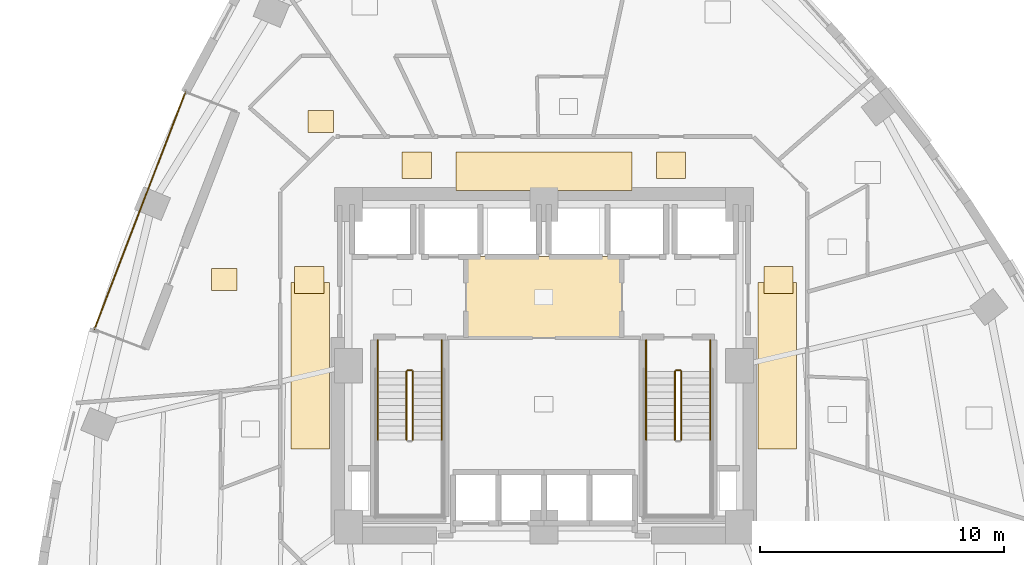
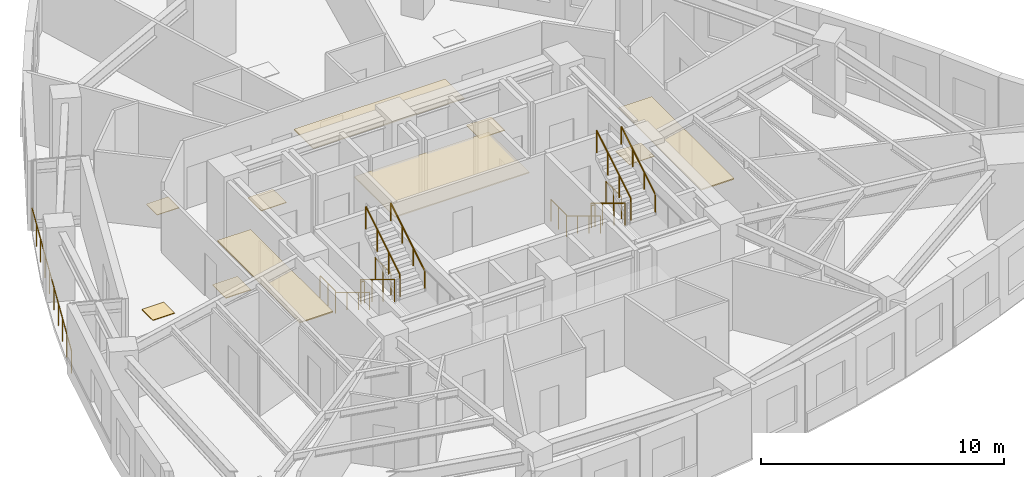
# One storey, part 11 of 12: 15 railings, 10 coverings.
"""IFC4 building model written with IfcOpenShell, lengths in metres."""

from ifc_helpers import new_model, si_unit, direction, frame, origin, origin_2d, place, context, subcontext, project, spatial, rectangle, circle, extrude, material, layer, layer_set, type_object, element, save


model = new_model("IFC4")

# Units and contexts
model_context = context("Model", 3, precision=1e-05, world=origin(), true_north=direction((0.0, 1.0)))
body_context = subcontext(model_context, "Body", "Model", "MODEL_VIEW")
ifc_project = project(units=[si_unit("LENGTHUNIT", "METRE"), si_unit("AREAUNIT", "SQUARE_METRE"), si_unit("VOLUMEUNIT", "CUBIC_METRE"), si_unit("PLANEANGLEUNIT", "RADIAN"), si_unit("MASSUNIT", "GRAM", prefix="KILO")], contexts=[model_context])

# Site, building, storey
site_placement = place(None, origin())
site = spatial("IfcSite", under=ifc_project, at=site_placement, CompositionType="ELEMENT")
building_placement = place(site_placement, origin())
building = spatial("IfcBuilding", under=site, at=building_placement, Name="Ndelora Gate Hotel", CompositionType="ELEMENT")
storey_placement = place(building_placement, frame((0.0, 0.0, 64.25)))
storey = spatial("IfcBuildingStorey", under=building, at=storey_placement, Name="L15", CompositionType="ELEMENT", Elevation=64.25)

# Coverings
ifc_material_1 = material(Name="Perforated Acoustic Gypsum Board", Category="gypsum")
ifc_layer_1 = layer(ifc_material_1, 0.054931640625)
ifc_layer_set_1 = layer_set([ifc_layer_1], Name="Perforated Acoustic Gypsum Board")
covering_type_1 = type_object("IfcCoveringType", Name="COV-CEIL-AC60", PredefinedType="CEILING", material=ifc_layer_set_1)
covering_1_placement = place(storey_placement, frame((0.0, 2.800048828125, 2.72265625), z_axis=(0.0, 0.0, 1.0), x_axis=(1.0, 0.0, 0.0)))
element("IfcCovering", 1, at=covering_1_placement, inside=storey, type_object=covering_type_1, Name="L15 Lift Lobby Acoustic Ceiling", PredefinedType="CEILING", context=body_context, shape_type="SweptSolid", body=[
    extrude(rectangle(XDim=6.39990234375, YDim=3.340087890625, at=origin_2d()), origin(), (0.0, 0.0, 1.0), 0.054931640625),
])
covering_2_placement = place(storey_placement, frame((0.0, 7.9599609375, 2.65234375), z_axis=(0.0, 0.0, 1.0), x_axis=(1.0, 0.0, 0.0)))
element("IfcCovering", 2, at=covering_2_placement, inside=storey, type_object=covering_type_1, Name="L15 Guest Corridor Acoustic Ceiling N", PredefinedType="CEILING", context=body_context, shape_type="SweptSolid", body=[
    extrude(rectangle(XDim=7.199951171875, YDim=1.580078125, at=origin_2d()), origin(), (0.0, 0.0, 1.0), 0.054931640625),
])
for number, where, z_axis, x_axis, name in (
    (3, (-9.550048828125, 0.0, 2.65234375), (0.0, 0.0, 1.0), (1.0, 0.0, 0.0), "L15 Guest Corridor Acoustic Ceiling W"),
    (4, (9.550048828125, 0.0, 2.65234375), (0.0, 0.0, 1.0), (1.0, 0.0, 0.0), "L15 Guest Corridor Acoustic Ceiling E"),
):
    element("IfcCovering", number, at=place(storey_placement, frame(where, z_axis=z_axis, x_axis=x_axis)), inside=storey, type_object=covering_type_1, Name=name, PredefinedType="CEILING", context=body_context, shape_type="SweptSolid", body=[
        extrude(rectangle(XDim=1.580078125, YDim=6.800048828125, at=origin_2d()), origin(), (0.0, 0.0, 1.0), 0.054931640625),
    ])
ifc_material_2 = material(Name="Engineered Highland Oak Parquet", Category="wood")
ifc_layer_2 = layer(ifc_material_2, 0.030029296875)
ifc_layer_set_2 = layer_set([ifc_layer_2], Name="Engineered Highland Oak Parquet")
covering_type_2 = type_object("IfcCoveringType", Name="COV-FLR-PARQ", PredefinedType="FLOORING", material=ifc_layer_set_2)
for number, where, z_axis, x_axis, name in (
    (5, (-13.076904296875, 3.5244140625, 0.0), (0.0, 0.0, 1.0), (1.0, 0.0, 0.0), "L15 Sky Garden Tea Dining Room Oak Parquet Flooring"),
    (6, (-9.129638671875, 9.989990234375, 0.0), (0.0, 0.0, 1.0), (1.0, 0.0, 0.0), "L15 Accessible WC Oak Parquet Flooring"),
):
    element("IfcCovering", number, at=place(storey_placement, frame(where, z_axis=z_axis, x_axis=x_axis)), inside=storey, type_object=covering_type_2, Name=name, PredefinedType="FLOORING", context=body_context, shape_type="SweptSolid", body=[
        extrude(rectangle(XDim=1.050048828125, YDim=0.89990234375, at=origin_2d()), origin(), (0.0, 0.0, 1.0), 0.030029296875),
    ])
ifc_material_3 = material(Name="Polished Highland Stone Terrazzo", Category="masonry")
ifc_layer_3 = layer(ifc_material_3, 0.034912109375)
ifc_layer_set_3 = layer_set([ifc_layer_3], Name="Polished Highland Stone Terrazzo")
covering_type_3 = type_object("IfcCoveringType", Name="COV-FLR-TERZ", PredefinedType="FLOORING", material=ifc_layer_set_3)
for number, where, z_axis, x_axis, name in (
    (7, (-5.199951171875, 8.199951171875, 0.0), (0.0, 0.0, 1.0), (1.0, 0.0, 0.0), "L15 Corridor Threshold Terrazzo Inlay NW"),
    (8, (5.199951171875, 8.199951171875, 0.0), (0.0, 0.0, 1.0), (1.0, 0.0, 0.0), "L15 Corridor Threshold Terrazzo Inlay NE"),
    (9, (-9.60009765625, 3.5, 0.0), (0.0, 0.0, 1.0), (1.0, 0.0, 0.0), "L15 Corridor Threshold Terrazzo Inlay W"),
    (10, (9.60009765625, 3.5, 0.0), (0.0, 0.0, 1.0), (1.0, 0.0, 0.0), "L15 Corridor Threshold Terrazzo Inlay E"),
):
    element("IfcCovering", number, at=place(storey_placement, frame(where, z_axis=z_axis, x_axis=x_axis)), inside=storey, type_object=covering_type_3, Name=name, PredefinedType="FLOORING", context=body_context, shape_type="SweptSolid", body=[
        extrude(rectangle(XDim=1.199951171875, YDim=1.10009765625, at=origin_2d()), origin(), (0.0, 0.0, 1.0), 0.034912109375),
    ])

# Railings
ifc_material_4 = material(Name="Laminated Safety Glass and Bronze Top Rail", Category="glass")
ifc_layer_4 = layer(ifc_material_4, 0.070068359375)
ifc_layer_set_4 = layer_set([ifc_layer_4], Name="Laminated Safety Glass and Bronze Top Rail")
railing_type_1 = type_object("IfcRailingType", Name="RL-BAL-1150", PredefinedType="BALUSTRADE", material=ifc_layer_set_4)
railing_1_placement = place(storey_placement, frame((-14.66259765625, 11.198486328125, 0.0)))
element("IfcRailing", 11, at=railing_1_placement, inside=storey, type_object=railing_type_1, Name="L15 Sky-Garden Loggia Terrace Balustrade", PredefinedType="BALUSTRADE", context=body_context, shape_type="SweptSolid", body=[
    extrude(circle(Radius=0.02392578125, at=origin_2d()), frame((0.0, 0.0, 1.1357421875), z_axis=(-0.35834191059, -0.933590421499, 0.0), x_axis=(0.933590421499, -0.35834191059, 0.0)), (0.0, 0.0, 1.0), 10.400146484375),
    extrude(circle(Radius=0.02099609375, at=origin_2d()), origin(), (0.0, 0.0, 1.0), 1.11181640625),
    extrude(circle(Radius=0.02099609375, at=origin_2d()), frame((-0.4140625, -1.078857421875, 0.0)), (0.0, 0.0, 1.0), 1.11181640625),
    extrude(circle(Radius=0.02099609375, at=origin_2d()), frame((-0.828125, -2.15771484375, 0.0)), (0.0, 0.0, 1.0), 1.11181640625),
    extrude(circle(Radius=0.02099609375, at=origin_2d()), frame((-1.2421875, -3.236572265625, 0.0)), (0.0, 0.0, 1.0), 1.11181640625),
    extrude(circle(Radius=0.02099609375, at=origin_2d()), frame((-1.65625, -4.3154296875, 0.0)), (0.0, 0.0, 1.0), 1.11181640625),
    extrude(circle(Radius=0.02099609375, at=origin_2d()), frame((-2.070556640625, -5.39404296875, 0.0)), (0.0, 0.0, 1.0), 1.11181640625),
    extrude(circle(Radius=0.02099609375, at=origin_2d()), frame((-2.484619140625, -6.472900390625, 0.0)), (0.0, 0.0, 1.0), 1.11181640625),
    extrude(circle(Radius=0.02099609375, at=origin_2d()), frame((-2.898681640625, -7.5517578125, 0.0)), (0.0, 0.0, 1.0), 1.11181640625),
    extrude(circle(Radius=0.02099609375, at=origin_2d()), frame((-3.312744140625, -8.630615234375, 0.0)), (0.0, 0.0, 1.0), 1.11181640625),
    extrude(circle(Radius=0.02099609375, at=origin_2d()), frame((-3.726806640625, -9.70947265625, 0.0)), (0.0, 0.0, 1.0), 1.11181640625),
])
ifc_material_5 = material(Name="Painted Galvanized Steel Balustrade", Category="steel")
ifc_layer_5 = layer(ifc_material_5, 0.06005859375)
ifc_layer_set_5 = layer_set([ifc_layer_5], Name="Painted Galvanized Steel Balustrade")
railing_type_2 = type_object("IfcRailingType", Name="RL-STAIR-GD", PredefinedType="GUARDRAIL", material=ifc_layer_set_5)
railing_2_placement = place(storey_placement, frame((-5.6201171875, -0.22998046875, 0.17041015625)))
element("IfcRailing", 12, at=railing_2_placement, inside=storey, type_object=railing_type_2, Name="L15 ST4 stair guard 1", PredefinedType="GUARDRAIL", context=body_context, shape_type="SweptSolid", body=[
    extrude(circle(Radius=0.02392578125, at=origin_2d()), frame((0.0, 0.0, 1.10595703125), z_axis=(0.0, -0.854169791009, 0.51999420009), x_axis=(1.0, 0.0, 0.0)), (0.0, 0.0, 1.0), 3.278076171875),
    extrude(circle(Radius=0.02099609375, at=origin_2d()), origin(), (0.0, 0.0, 1.0), 1.081787109375),
    extrude(circle(Radius=0.02099609375, at=origin_2d()), frame((0.0, -0.933349609375, 0.568115234375)), (0.0, 0.0, 1.0), 1.081787109375),
    extrude(circle(Radius=0.02099609375, at=origin_2d()), frame((0.0, -1.86669921875, 1.136474609375)), (0.0, 0.0, 1.0), 1.081787109375),
    extrude(circle(Radius=0.02099609375, at=origin_2d()), frame((0.0, -2.800048828125, 1.70458984375)), (0.0, 0.0, 1.0), 1.081787109375),
])
railing_3_placement = place(storey_placement, frame((-5.360107421875, -3.030029296875, 2.04541015625)))
element("IfcRailing", 13, at=railing_3_placement, inside=storey, type_object=railing_type_2, Name="L15 ST4 stair guard 6", PredefinedType="GUARDRAIL", context=body_context, shape_type="SweptSolid", body=[
    extrude(circle(Radius=0.02392578125, at=origin_2d()), frame((0.0, 0.0, 1.10595703125), z_axis=(0.0, 0.854169791009, 0.51999420009), x_axis=(-1.0, 0.0, 0.0)), (0.0, 0.0, 1.0), 3.278076171875),
    extrude(circle(Radius=0.02099609375, at=origin_2d()), origin(), (0.0, 0.0, 1.0), 1.081787109375),
    extrude(circle(Radius=0.02099609375, at=origin_2d()), frame((0.0, 0.933349609375, 0.568115234375)), (0.0, 0.0, 1.0), 1.081787109375),
    extrude(circle(Radius=0.02099609375, at=origin_2d()), frame((0.0, 1.86669921875, 1.136474609375)), (0.0, 0.0, 1.0), 1.081787109375),
    extrude(circle(Radius=0.02099609375, at=origin_2d()), frame((0.0, 2.800048828125, 1.70458984375)), (0.0, 0.0, 1.0), 1.081787109375),
])
railing_4_placement = place(storey_placement, frame((-5.570068359375, -0.179931640625, 0.0)))
element("IfcRailing", 14, at=railing_4_placement, inside=storey, type_object=railing_type_2, Name="L15 ST4 stair guard 7", PredefinedType="GUARDRAIL", context=body_context, shape_type="SweptSolid", body=[
    extrude(circle(Radius=0.02392578125, at=origin_2d()), frame((0.0, 0.0, 1.10595703125), z_axis=(1.0, 0.0, 0.0), x_axis=(0.0, 1.0, 0.0)), (0.0, 0.0, 1.0), 0.16015625),
    extrude(circle(Radius=0.02099609375, at=origin_2d()), origin(), (0.0, 0.0, 1.0), 1.081787109375),
    extrude(circle(Radius=0.02099609375, at=origin_2d()), frame((0.16015625, 0.0, 0.0)), (0.0, 0.0, 1.0), 1.081787109375),
])
for number, where, name in (
    (15, (-6.800048828125, 1.050048828125, 0.0), "L15 ST4 stair guard 8"),
    (16, (-4.179931640625, 1.050048828125, 0.0), "L15 ST4 stair guard 9"),
):
    element("IfcRailing", number, at=place(storey_placement, frame(where)), inside=storey, type_object=railing_type_2, Name=name, PredefinedType="GUARDRAIL", context=body_context, shape_type="SweptSolid", body=[
        extrude(circle(Radius=0.02392578125, at=origin_2d()), frame((0.0, 0.0, 1.10595703125), z_axis=(0.0, -1.0, 0.0), x_axis=(1.0, 0.0, 0.0)), (0.0, 0.0, 1.0), 1.280029296875),
        extrude(circle(Radius=0.02099609375, at=origin_2d()), origin(), (0.0, 0.0, 1.0), 1.081787109375),
        extrude(circle(Radius=0.02099609375, at=origin_2d()), frame((0.0, -0.64013671875, 0.0)), (0.0, 0.0, 1.0), 1.081787109375),
        extrude(circle(Radius=0.02099609375, at=origin_2d()), frame((0.0, -1.280029296875, 0.0)), (0.0, 0.0, 1.0), 1.081787109375),
    ])
railing_5_placement = place(storey_placement, frame((5.360107421875, -0.22998046875, 0.17041015625)))
element("IfcRailing", 17, at=railing_5_placement, inside=storey, type_object=railing_type_2, Name="L15 ST5 stair guard 1", PredefinedType="GUARDRAIL", context=body_context, shape_type="SweptSolid", body=[
    extrude(circle(Radius=0.02392578125, at=origin_2d()), frame((0.0, 0.0, 1.10595703125), z_axis=(0.0, -0.854169791009, 0.51999420009), x_axis=(1.0, 0.0, 0.0)), (0.0, 0.0, 1.0), 3.278076171875),
    extrude(circle(Radius=0.02099609375, at=origin_2d()), origin(), (0.0, 0.0, 1.0), 1.081787109375),
    extrude(circle(Radius=0.02099609375, at=origin_2d()), frame((0.0, -0.933349609375, 0.568115234375)), (0.0, 0.0, 1.0), 1.081787109375),
    extrude(circle(Radius=0.02099609375, at=origin_2d()), frame((0.0, -1.86669921875, 1.136474609375)), (0.0, 0.0, 1.0), 1.081787109375),
    extrude(circle(Radius=0.02099609375, at=origin_2d()), frame((0.0, -2.800048828125, 1.70458984375)), (0.0, 0.0, 1.0), 1.081787109375),
])
railing_6_placement = place(storey_placement, frame((5.6201171875, -3.030029296875, 2.04541015625)))
element("IfcRailing", 18, at=railing_6_placement, inside=storey, type_object=railing_type_2, Name="L15 ST5 stair guard 6", PredefinedType="GUARDRAIL", context=body_context, shape_type="SweptSolid", body=[
    extrude(circle(Radius=0.02392578125, at=origin_2d()), frame((0.0, 0.0, 1.10595703125), z_axis=(0.0, 0.854169791009, 0.51999420009), x_axis=(-1.0, 0.0, 0.0)), (0.0, 0.0, 1.0), 3.278076171875),
    extrude(circle(Radius=0.02099609375, at=origin_2d()), origin(), (0.0, 0.0, 1.0), 1.081787109375),
    extrude(circle(Radius=0.02099609375, at=origin_2d()), frame((0.0, 0.933349609375, 0.568115234375)), (0.0, 0.0, 1.0), 1.081787109375),
    extrude(circle(Radius=0.02099609375, at=origin_2d()), frame((0.0, 1.86669921875, 1.136474609375)), (0.0, 0.0, 1.0), 1.081787109375),
    extrude(circle(Radius=0.02099609375, at=origin_2d()), frame((0.0, 2.800048828125, 1.70458984375)), (0.0, 0.0, 1.0), 1.081787109375),
])
railing_7_placement = place(storey_placement, frame((5.409912109375, -0.179931640625, 0.0)))
element("IfcRailing", 19, at=railing_7_placement, inside=storey, type_object=railing_type_2, Name="L15 ST5 stair guard 7", PredefinedType="GUARDRAIL", context=body_context, shape_type="SweptSolid", body=[
    extrude(circle(Radius=0.02392578125, at=origin_2d()), frame((0.0, 0.0, 1.10595703125), z_axis=(1.0, 0.0, 0.0), x_axis=(0.0, 1.0, 0.0)), (0.0, 0.0, 1.0), 0.16015625),
    extrude(circle(Radius=0.02099609375, at=origin_2d()), origin(), (0.0, 0.0, 1.0), 1.081787109375),
    extrude(circle(Radius=0.02099609375, at=origin_2d()), frame((0.16015625, 0.0, 0.0)), (0.0, 0.0, 1.0), 1.081787109375),
])
for number, where, name in (
    (20, (4.179931640625, 1.050048828125, 0.0), "L15 ST5 stair guard 8"),
    (21, (6.800048828125, 1.050048828125, 0.0), "L15 ST5 stair guard 9"),
):
    element("IfcRailing", number, at=place(storey_placement, frame(where)), inside=storey, type_object=railing_type_2, Name=name, PredefinedType="GUARDRAIL", context=body_context, shape_type="SweptSolid", body=[
        extrude(circle(Radius=0.02392578125, at=origin_2d()), frame((0.0, 0.0, 1.10595703125), z_axis=(0.0, -1.0, 0.0), x_axis=(1.0, 0.0, 0.0)), (0.0, 0.0, 1.0), 1.280029296875),
        extrude(circle(Radius=0.02099609375, at=origin_2d()), origin(), (0.0, 0.0, 1.0), 1.081787109375),
        extrude(circle(Radius=0.02099609375, at=origin_2d()), frame((0.0, -0.64013671875, 0.0)), (0.0, 0.0, 1.0), 1.081787109375),
        extrude(circle(Radius=0.02099609375, at=origin_2d()), frame((0.0, -1.280029296875, 0.0)), (0.0, 0.0, 1.0), 1.081787109375),
    ])
ifc_material_6 = material(Name="Brushed Stainless Steel 316", Category="steel")
ifc_layer_6 = layer(ifc_material_6, 0.050048828125)
ifc_layer_set_6 = layer_set([ifc_layer_6], Name="Brushed Stainless Steel 316")
railing_type_3 = type_object("IfcRailingType", Name="RL-STAIR-HR", PredefinedType="HANDRAIL", material=ifc_layer_set_6)
railing_8_placement = place(storey_placement, frame((-6.800048828125, -0.22998046875, 0.17041015625)))
element("IfcRailing", 22, at=railing_8_placement, inside=storey, type_object=railing_type_3, Name="L15 ST4 stair handrail 1", PredefinedType="HANDRAIL", context=body_context, shape_type="SweptSolid", body=[
    extrude(circle(Radius=0.02392578125, at=origin_2d()), frame((0.0, 0.0, 0.8759765625), z_axis=(0.0, -0.854169791009, 0.51999420009), x_axis=(1.0, 0.0, 0.0)), (0.0, 0.0, 1.0), 3.278076171875),
    extrude(circle(Radius=0.02099609375, at=origin_2d()), origin(), (0.0, 0.0, 1.0), 0.851806640625),
    extrude(circle(Radius=0.02099609375, at=origin_2d()), frame((0.0, -0.933349609375, 0.568115234375)), (0.0, 0.0, 1.0), 0.851806640625),
    extrude(circle(Radius=0.02099609375, at=origin_2d()), frame((0.0, -1.86669921875, 1.136474609375)), (0.0, 0.0, 1.0), 0.851806640625),
    extrude(circle(Radius=0.02099609375, at=origin_2d()), frame((0.0, -2.800048828125, 1.70458984375)), (0.0, 0.0, 1.0), 0.851806640625),
])
railing_9_placement = place(storey_placement, frame((-4.179931640625, -3.030029296875, 2.04541015625)))
element("IfcRailing", 23, at=railing_9_placement, inside=storey, type_object=railing_type_3, Name="L15 ST4 stair handrail 2", PredefinedType="HANDRAIL", context=body_context, shape_type="SweptSolid", body=[
    extrude(circle(Radius=0.02392578125, at=origin_2d()), frame((0.0, 0.0, 0.8759765625), z_axis=(0.0, 0.854169791009, 0.51999420009), x_axis=(-1.0, 0.0, 0.0)), (0.0, 0.0, 1.0), 3.278076171875),
    extrude(circle(Radius=0.02099609375, at=origin_2d()), origin(), (0.0, 0.0, 1.0), 0.851806640625),
    extrude(circle(Radius=0.02099609375, at=origin_2d()), frame((0.0, 0.933349609375, 0.568115234375)), (0.0, 0.0, 1.0), 0.851806640625),
    extrude(circle(Radius=0.02099609375, at=origin_2d()), frame((0.0, 1.86669921875, 1.136474609375)), (0.0, 0.0, 1.0), 0.851806640625),
    extrude(circle(Radius=0.02099609375, at=origin_2d()), frame((0.0, 2.800048828125, 1.70458984375)), (0.0, 0.0, 1.0), 0.851806640625),
])
railing_10_placement = place(storey_placement, frame((4.179931640625, -0.22998046875, 0.17041015625)))
element("IfcRailing", 24, at=railing_10_placement, inside=storey, type_object=railing_type_3, Name="L15 ST5 stair handrail 1", PredefinedType="HANDRAIL", context=body_context, shape_type="SweptSolid", body=[
    extrude(circle(Radius=0.02392578125, at=origin_2d()), frame((0.0, 0.0, 0.8759765625), z_axis=(0.0, -0.854169791009, 0.51999420009), x_axis=(1.0, 0.0, 0.0)), (0.0, 0.0, 1.0), 3.278076171875),
    extrude(circle(Radius=0.02099609375, at=origin_2d()), origin(), (0.0, 0.0, 1.0), 0.851806640625),
    extrude(circle(Radius=0.02099609375, at=origin_2d()), frame((0.0, -0.933349609375, 0.568115234375)), (0.0, 0.0, 1.0), 0.851806640625),
    extrude(circle(Radius=0.02099609375, at=origin_2d()), frame((0.0, -1.86669921875, 1.136474609375)), (0.0, 0.0, 1.0), 0.851806640625),
    extrude(circle(Radius=0.02099609375, at=origin_2d()), frame((0.0, -2.800048828125, 1.70458984375)), (0.0, 0.0, 1.0), 0.851806640625),
])
railing_11_placement = place(storey_placement, frame((6.800048828125, -3.030029296875, 2.04541015625)))
element("IfcRailing", 25, at=railing_11_placement, inside=storey, type_object=railing_type_3, Name="L15 ST5 stair handrail 2", PredefinedType="HANDRAIL", context=body_context, shape_type="SweptSolid", body=[
    extrude(circle(Radius=0.02392578125, at=origin_2d()), frame((0.0, 0.0, 0.8759765625), z_axis=(0.0, 0.854169791009, 0.51999420009), x_axis=(-1.0, 0.0, 0.0)), (0.0, 0.0, 1.0), 3.278076171875),
    extrude(circle(Radius=0.02099609375, at=origin_2d()), origin(), (0.0, 0.0, 1.0), 0.851806640625),
    extrude(circle(Radius=0.02099609375, at=origin_2d()), frame((0.0, 0.933349609375, 0.568115234375)), (0.0, 0.0, 1.0), 0.851806640625),
    extrude(circle(Radius=0.02099609375, at=origin_2d()), frame((0.0, 1.86669921875, 1.136474609375)), (0.0, 0.0, 1.0), 0.851806640625),
    extrude(circle(Radius=0.02099609375, at=origin_2d()), frame((0.0, 2.800048828125, 1.70458984375)), (0.0, 0.0, 1.0), 0.851806640625),
])

save(model, "model.ifc")
